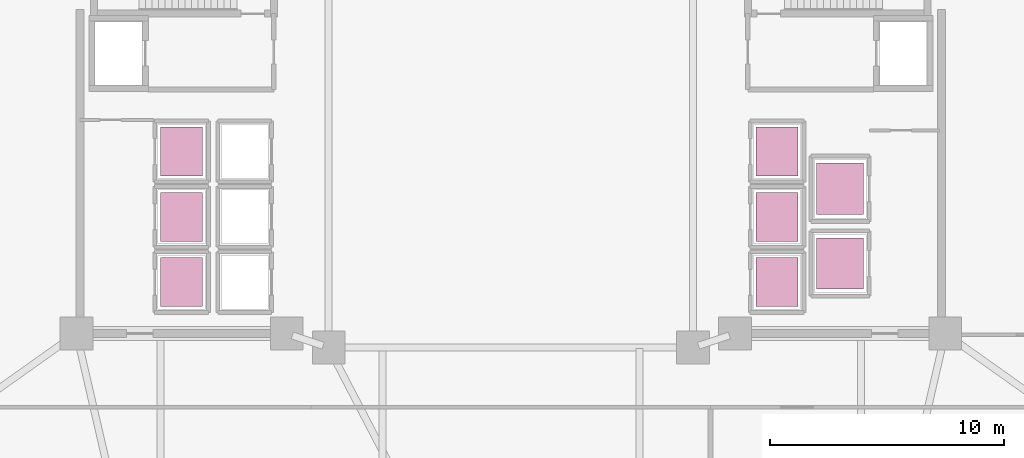
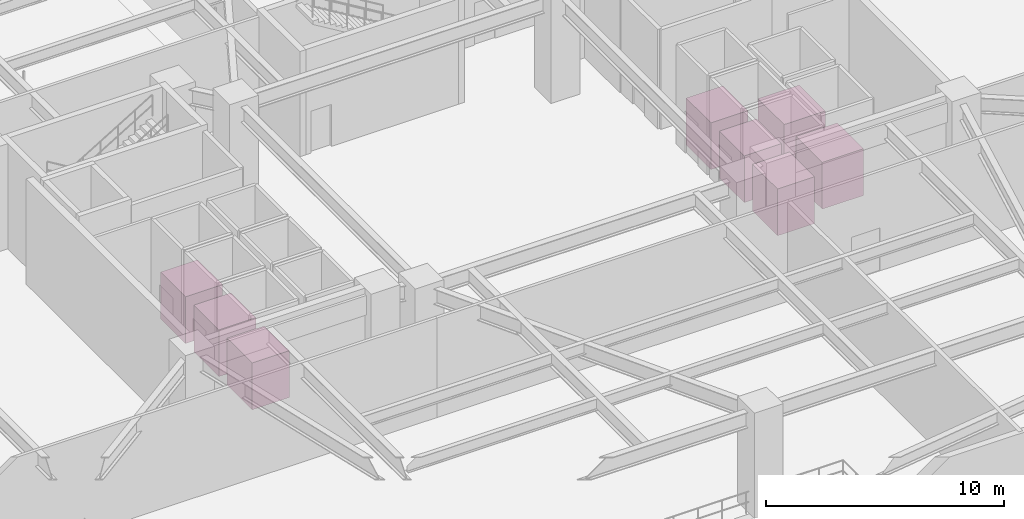
# One storey, part 18 of 18: 8 transport elements.
"""IFC4 building model written with IfcOpenShell, lengths in metres."""

from ifc_helpers import new_model, si_unit, direction, frame, origin, origin_2d, place, context, subcontext, project, spatial, rectangle, extrude, material, type_object, element, save


model = new_model("IFC4")

# Units and contexts
model_context = context("Model", 3, precision=1e-05, world=origin(), true_north=direction((0.0, 1.0)))
body_context = subcontext(model_context, "Body", "Model", "MODEL_VIEW")
ifc_project = project(units=[si_unit("LENGTHUNIT", "METRE"), si_unit("AREAUNIT", "SQUARE_METRE"), si_unit("VOLUMEUNIT", "CUBIC_METRE"), si_unit("PLANEANGLEUNIT", "RADIAN"), si_unit("MASSUNIT", "GRAM", prefix="KILO")], contexts=[model_context])

# Site, building, storey
site_placement = place(None, origin())
site = spatial("IfcSite", under=ifc_project, at=site_placement, CompositionType="ELEMENT")
building_placement = place(site_placement, origin())
building = spatial("IfcBuilding", under=site, at=building_placement, Name="Tarnavaz Court Tower", CompositionType="ELEMENT")
storey_placement = place(building_placement, origin())
storey = spatial("IfcBuildingStorey", under=building, at=storey_placement, Name="L00", CompositionType="ELEMENT", Elevation=0.0)

# Transport elements
ifc_material = material(Name="Brushed Stainless Steel Cab Assembly", Category="steel")
transport_element_type_1 = type_object("IfcTransportElementType", Name="LF-OBS-1800", PredefinedType="ELEVATOR", material=ifc_material)
for number, where, z_axis, x_axis, name in (
    (1, (14.10009765625, -4.199951171875, 0.0), (0.0, 0.0, 1.0), (1.0, 0.0, 0.0), "Elevator Car PL-OB1"),
    (2, (14.10009765625, -1.0, 0.0), (0.0, 0.0, 1.0), (1.0, 0.0, 0.0), "Elevator Car PL-OB2"),
):
    element("IfcTransportElement", number, at=place(storey_placement, frame(where, z_axis=z_axis, x_axis=x_axis)), inside=storey, type_object=transport_element_type_1, Name=name, PredefinedType="ELEVATOR", context=body_context, shape_type="SweptSolid", body=[
        extrude(rectangle(XDim=2.0, YDim=2.199951171875, at=origin_2d()), origin(), (0.0, 0.0, 1.0), 2.39990234375),
    ])
transport_element_type_2 = type_object("IfcTransportElementType", Name="LF-PASS-1600", PredefinedType="ELEVATOR", material=ifc_material)
for number, where, z_axis, x_axis, name in (
    (3, (-14.10009765625, -5.0, 0.0), (0.0, 0.0, 1.0), (1.0, 0.0, 0.0), "Elevator Car PL-H1"),
    (4, (-14.10009765625, -2.199951171875, 0.0), (0.0, 0.0, 1.0), (1.0, 0.0, 0.0), "Elevator Car PL-H2"),
    (5, (-14.10009765625, 0.60009765625, 0.0), (0.0, 0.0, 1.0), (1.0, 0.0, 0.0), "Elevator Car PL-H3"),
    (6, (11.39990234375, -5.0, 0.0), (0.0, 0.0, 1.0), (1.0, 0.0, 0.0), "Elevator Car PL-M1"),
    (7, (11.39990234375, -2.199951171875, 0.0), (0.0, 0.0, 1.0), (1.0, 0.0, 0.0), "Elevator Car PL-M2"),
    (8, (11.39990234375, 0.60009765625, 0.0), (0.0, 0.0, 1.0), (1.0, 0.0, 0.0), "Elevator Car PL-M3"),
):
    element("IfcTransportElement", number, at=place(storey_placement, frame(where, z_axis=z_axis, x_axis=x_axis)), inside=storey, type_object=transport_element_type_2, Name=name, PredefinedType="ELEVATOR", context=body_context, shape_type="SweptSolid", body=[
        extrude(rectangle(XDim=1.800048828125, YDim=2.10009765625, at=origin_2d()), origin(), (0.0, 0.0, 1.0), 2.39990234375),
    ])

save(model, "model.ifc")
